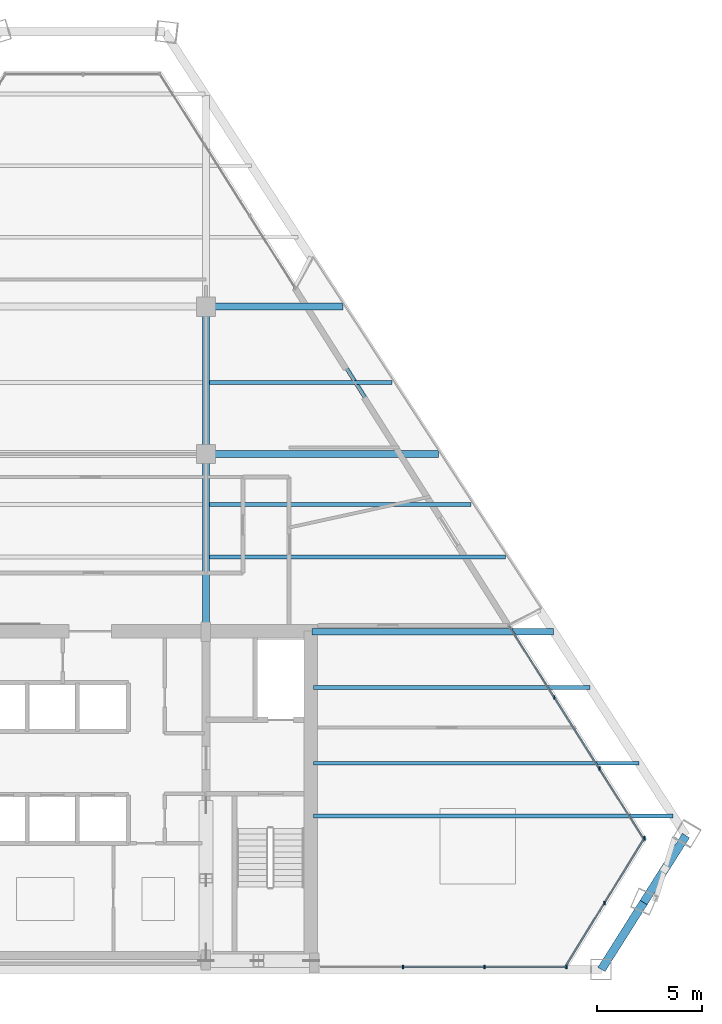
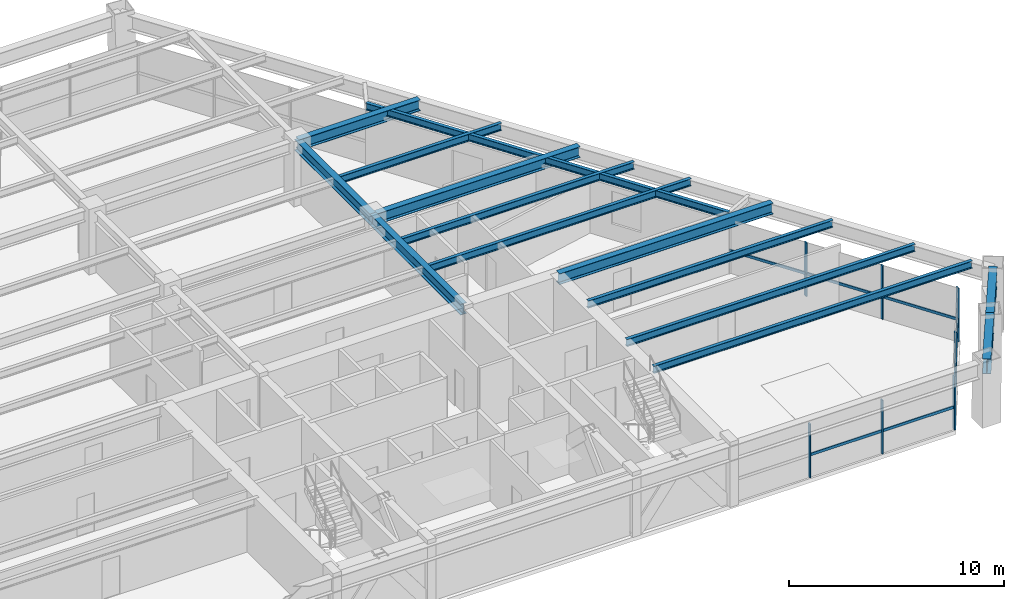
# One storey, part 6 of 15: 14 beams, 14 members, 3 elements without a shape of their own.
"""IFC4 building model written with IfcOpenShell, lengths in metres."""

import ifcopenshell
import ifcopenshell.guid

model = None  # the IFC model being written
_history = None  # IfcOwnerHistory: only IFC2X3 demands one
_inside = {}  # id of a spatial element -> (the spatial element, [elements in it])
_under = {}  # id of a project, library or spatial element -> (it, [spatial elements below it])
_declared = {}  # id of a project -> (the project, [libraries it declares])
_typed = {}  # id of a type object -> (the type object, [elements of that type])
_made_of = {}  # id of a material, layer set ... -> (it, [elements and type objects made of it])


def new_model(schema):
    """Start an empty IFC model of exactly this schema.

    Asked for "IFC4X3", IfcOpenShell would pick the latest addendum, in which some entities
    have other attributes; the version numbers below select the first issue.
    IFC2X3 requires an IfcOwnerHistory on every rooted entity: one is made here for all.
    """
    global model, _history
    if schema == "IFC4X3":
        model = ifcopenshell.file(schema_version=(4, 3, 0, 0))
    else:
        model = ifcopenshell.file(schema=schema)
    _inside.clear()
    _under.clear()
    _declared.clear()
    _typed.clear()
    _made_of.clear()
    _history = None
    if model.schema == "IFC2X3":
        org = make("IfcOrganization", Name="unknown")
        user = make(
            "IfcPersonAndOrganization",
            ThePerson=make("IfcPerson", FamilyName="unknown"),
            TheOrganization=org,
        )
        app = make(
            "IfcApplication",
            ApplicationDeveloper=org,
            Version="unknown",
            ApplicationFullName="unknown",
            ApplicationIdentifier="unknown",
        )
        _history = make(
            "IfcOwnerHistory",
            OwningUser=user,
            OwningApplication=app,
            ChangeAction="ADDED",
            CreationDate=0,
        )
    return model


def make(cls, **values):
    """One entity of the class cls with the attributes given. An attribute that is None is left unset."""
    return model.create_entity(
        cls, **{name: value for name, value in values.items() if value is not None}
    )


def rooted(cls, **values):
    """An entity with a GlobalId (a new one), such as an element, a storey or a relation."""
    return make(cls, GlobalId=ifcopenshell.guid.new(), OwnerHistory=_history, **values)


def si_unit(unit_type, name, prefix=None):
    """IfcSIUnit, for example si_unit("LENGTHUNIT", "METRE", prefix="MILLI")."""
    return make("IfcSIUnit", UnitType=unit_type, Prefix=prefix, Name=name)


def assignment(units):
    """IfcUnitAssignment: the units of a project."""
    return None if units is None else make("IfcUnitAssignment", Units=units)


def point(xyz):
    """IfcCartesianPoint."""
    return None if xyz is None else make("IfcCartesianPoint", Coordinates=xyz)


def direction(xyz):
    """IfcDirection."""
    return None if xyz is None else make("IfcDirection", DirectionRatios=xyz)


def frame(location, z_axis=None, x_axis=None):
    """IfcAxis2Placement3D, a coordinate frame: its origin and axes. An axis left out is left unset."""
    return make(
        "IfcAxis2Placement3D",
        Location=point(location),
        Axis=direction(z_axis),
        RefDirection=direction(x_axis),
    )


def frame_2d(location, x_axis=None):
    """IfcAxis2Placement2D, a coordinate frame in the plane: its origin and x axis."""
    return make(
        "IfcAxis2Placement2D", Location=point(location), RefDirection=direction(x_axis)
    )


def origin():
    """The frame at (0, 0, 0) with its axes left unset."""
    return frame((0.0, 0.0, 0.0))


def origin_2d():
    """The frame at (0, 0) in the plane with its x axis left unset."""
    return frame_2d((0.0, 0.0))


def place(relative_to, where):
    """IfcLocalPlacement: puts the frame where relative to a parent placement (None: the world)."""
    return make(
        "IfcLocalPlacement", PlacementRelTo=relative_to, RelativePlacement=where
    )


def context(
    kind, dimensions, precision=None, world=None, true_north=None, identifier=None
):
    """IfcGeometricRepresentationContext, for example the 3D "Model" context."""
    return make(
        "IfcGeometricRepresentationContext",
        ContextIdentifier=identifier,
        ContextType=kind,
        CoordinateSpaceDimension=dimensions,
        Precision=precision,
        WorldCoordinateSystem=world,
        TrueNorth=true_north,
    )


def subcontext(parent, identifier, kind, view, scale=None):
    """IfcGeometricRepresentationSubContext, for example "Body" below "Model"."""
    return make(
        "IfcGeometricRepresentationSubContext",
        ContextIdentifier=identifier,
        ContextType=kind,
        ParentContext=parent,
        TargetScale=scale,
        TargetView=view,
    )


def project(units=None, contexts=None):
    """IfcProject with its units and contexts."""
    return rooted(
        "IfcProject",
        Name="project",
        RepresentationContexts=contexts,
        UnitsInContext=assignment(units),
    )


def spatial(cls, under=None, at=None, **own):
    """A site, building, storey or space (cls), placed at a placement, below another one or the project."""
    s = rooted(cls, ObjectPlacement=at, **own)
    if under is not None:
        _under.setdefault(under.id(), (under, []))[1].append(s)
    return s


def profile(cls, at=None, kind="AREA", **sizes):
    """A parametric profile (cls). Its sizes go by their IFC names, for example OverallWidth=200.0."""
    return make(cls, ProfileType=kind, Position=at, **sizes)


def rectangle(**sizes):
    """IfcRectangleProfileDef."""
    return profile("IfcRectangleProfileDef", **sizes)


def i_section(**sizes):
    """IfcIShapeProfileDef."""
    return profile("IfcIShapeProfileDef", **sizes)


def extrude(swept, where, along, depth):
    """IfcExtrudedAreaSolid: the profile swept, set in the frame where, extruded along a direction by depth."""
    return make(
        "IfcExtrudedAreaSolid",
        SweptArea=swept,
        Position=where,
        ExtrudedDirection=direction(along),
        Depth=depth,
    )


def shape(context_of_items, identifier, shape_type, items):
    """IfcShapeRepresentation: the items that make up one representation, for example the "Body"."""
    return make(
        "IfcShapeRepresentation",
        ContextOfItems=context_of_items,
        RepresentationIdentifier=identifier,
        RepresentationType=shape_type,
        Items=items,
    )


def source(mapping_origin, context_of_items, identifier, shape_type, items):
    """IfcRepresentationMap: a shape defined once, which mapped items show again and again."""
    return make(
        "IfcRepresentationMap",
        MappingOrigin=mapping_origin,
        MappedRepresentation=shape(context_of_items, identifier, shape_type, items),
    )


def transform(
    local_origin,
    x_axis=None,
    y_axis=None,
    z_axis=None,
    scale=None,
    scale2=None,
    scale3=None,
    uniform=True,
):
    """IfcCartesianTransformationOperator3D, or its non-uniform kind. x_axis, y_axis, z_axis: its Axis1, 2, 3."""
    if uniform:
        return make(
            "IfcCartesianTransformationOperator3D",
            Axis1=direction(x_axis),
            Axis2=direction(y_axis),
            LocalOrigin=point(local_origin),
            Scale=scale,
            Axis3=direction(z_axis),
        )
    return make(
        "IfcCartesianTransformationOperator3DnonUniform",
        Axis1=direction(x_axis),
        Axis2=direction(y_axis),
        LocalOrigin=point(local_origin),
        Scale=scale,
        Axis3=direction(z_axis),
        Scale2=scale2,
        Scale3=scale3,
    )


def mapped(mapping_source, mapping_target):
    """IfcMappedItem: shows the shape of a source again, moved by a transform."""
    return make(
        "IfcMappedItem", MappingSource=mapping_source, MappingTarget=mapping_target
    )


def material(Name=None, Category=None):
    """IfcMaterial."""
    return make("IfcMaterial", Name=Name, Category=Category)


def material_profile(
    of_material, cross_section, Name=None, Category=None, Priority=None
):
    """IfcMaterialProfile: a cross section and its material."""
    return make(
        "IfcMaterialProfile",
        Name=Name,
        Material=of_material,
        Profile=cross_section,
        Priority=Priority,
        Category=Category,
    )


def profile_set(profiles, Name=None, composite=None):
    """IfcMaterialProfileSet."""
    return make(
        "IfcMaterialProfileSet",
        Name=Name,
        MaterialProfiles=profiles,
        CompositeProfile=composite,
    )


def made_of(thing, what):
    """Note that an element or type object is made of a material, layer set ...; save() writes the relation."""
    if what is not None:
        _made_of.setdefault(what.id(), (what, []))[1].append(thing)
    return thing


def type_object(cls, material=None, **own):
    """A type object (cls), such as IfcWallType, which elements share."""
    return made_of(rooted(cls, **own), material)


def type_shapes(of_type, sources):
    """Give a type object the sources (RepresentationMaps) that its elements show as mapped items."""
    of_type.RepresentationMaps = sources


def element(
    cls,
    number,
    at=None,
    inside=None,
    cuts=None,
    type_object=None,
    material=None,
    context=None,
    identifier="Body",
    shape_type=None,
    held_by="IfcProductDefinitionShape",
    body=None,
    shapes=None,
    **own,
):
    """One element of the class cls, such as IfcWall. Its Tag is "e" and its number.

    at: its placement. inside: the storey or other place that contains it. cuts: it is an
    opening in that element (IfcRelVoidsElement). A single representation is given by context,
    identifier, shape_type and body (its items); several are given by shapes. held_by: the class
    of the entity that holds the representations. save() writes the other relations.
    """
    e = rooted(cls, Tag="e%d" % number, ObjectPlacement=at, **own)
    if body is not None:
        shapes = [shape(context, identifier, shape_type, body)]
    if shapes is not None:
        e.Representation = make(held_by, Representations=shapes)
    if inside is not None:
        _inside.setdefault(inside.id(), (inside, []))[1].append(e)
    if cuts is not None:
        rooted(
            "IfcRelVoidsElement", RelatingBuildingElement=cuts, RelatedOpeningElement=e
        )
    if type_object is not None:
        _typed.setdefault(type_object.id(), (type_object, []))[1].append(e)
    return made_of(e, material)


def aggregate(whole, parts):
    """IfcRelAggregates: a whole, such as a stair, and the parts it consists of."""
    return rooted("IfcRelAggregates", RelatingObject=whole, RelatedObjects=parts)


def save(model, path):
    """Write the relations noted so far, then the file.

    IfcRelAggregates (storeys below a building ...), IfcRelContainedInSpatialStructure (elements
    in a storey), IfcRelDefinesByType, IfcRelAssociatesMaterial and IfcRelDeclares: one each for
    every whole, place, type object, material and project.
    """
    for whole, parts in _under.values():
        aggregate(whole, parts)
    for where, things in _inside.values():
        rooted(
            "IfcRelContainedInSpatialStructure",
            RelatedElements=things,
            RelatingStructure=where,
        )
    for kind, things in _typed.values():
        rooted("IfcRelDefinesByType", RelatedObjects=things, RelatingType=kind)
    for what, things in _made_of.values():
        rooted("IfcRelAssociatesMaterial", RelatedObjects=things, RelatingMaterial=what)
    for by, libraries in _declared.values():
        rooted("IfcRelDeclares", RelatingContext=by, RelatedDefinitions=libraries)
    model.write(path)


model = new_model("IFC4")

# Units and contexts
model_context = context("Model", 3, precision=1e-05, world=origin(), true_north=direction((0.0, 1.0)))
body_context = subcontext(model_context, "Body", "Model", "MODEL_VIEW")
ifc_project = project(units=[si_unit("LENGTHUNIT", "METRE"), si_unit("AREAUNIT", "SQUARE_METRE"), si_unit("VOLUMEUNIT", "CUBIC_METRE"), si_unit("PLANEANGLEUNIT", "RADIAN"), si_unit("MASSUNIT", "GRAM", prefix="KILO")], contexts=[model_context])

# Site, building, storey
site_placement = place(None, origin())
site = spatial("IfcSite", under=ifc_project, at=site_placement, CompositionType="ELEMENT")
building_placement = place(site_placement, origin())
building = spatial("IfcBuilding", under=site, at=building_placement, Name="Varnakhor Terracotta Tower", CompositionType="ELEMENT")
storey_placement = place(building_placement, frame((0.0, 0.0, 193.199951171875)))
storey = spatial("IfcBuildingStorey", under=building, at=storey_placement, Name="L49", CompositionType="ELEMENT", Elevation=193.199951171875)

# Beams
ifc_material_1 = material(Name="Steel S355", Category="steel")
ifc_material_profile_1 = material_profile(ifc_material_1, i_section(OverallWidth=0.324951171875, OverallDepth=0.615966796875, WebThickness=0.013916015625, FlangeThickness=0.02197265625, FilletRadius=0.01806640625, at=origin_2d()), Name="W24X117")
ifc_profile_set_1 = profile_set([ifc_material_profile_1], Name="Steel S355")
beam_type_1 = type_object("IfcBeamType", Name="BM-W24X117", PredefinedType="BEAM", material=ifc_profile_set_1)
shared_shape_1 = source(origin(), body_context, "Body", "SweptSolid", [
    extrude(i_section(OverallWidth=0.324951171875, OverallDepth=0.615966796875, WebThickness=0.013916015625, FlangeThickness=0.02197265625, FilletRadius=0.01806640625, at=origin_2d()), origin(), (0.0, 0.0, 1.0), 8.449951171875),
])
type_shapes(beam_type_1, [shared_shape_1])
beam_1_placement = place(storey_placement, frame((5.5, 16.050048828125, 3.162109375), z_axis=(0.0, 1.0, 0.0), x_axis=(-1.0, 0.0, 0.0)))
element("IfcBeam", 1, at=beam_1_placement, inside=storey, type_object=beam_type_1, Name="L49 Primary Girder NS1-E", PredefinedType="BEAM", context=body_context, shape_type="MappedRepresentation", body=[
    mapped(shared_shape_1, transform((0.0, 0.0, 0.0), scale=1.0)),
])
shared_shape_2 = source(origin(), body_context, "Body", "SweptSolid", [
    extrude(i_section(OverallWidth=0.324951171875, OverallDepth=0.615966796875, WebThickness=0.013916015625, FlangeThickness=0.02197265625, FilletRadius=0.01806640625, at=origin_2d()), origin(), (0.0, 0.0, 1.0), 7.0),
])
beam_2_placement = place(storey_placement, frame((5.5, 24.5, 3.162109375), z_axis=(0.0, 1.0, 0.0), x_axis=(-1.0, 0.0, 0.0)))
element("IfcBeam", 2, at=beam_2_placement, inside=storey, type_object=beam_type_1, Name="L49 Primary Girder NS2-E", PredefinedType="BEAM", context=body_context, shape_type="MappedRepresentation", body=[
    mapped(shared_shape_2, transform((0.0, 0.0, 0.0), scale=1.0)),
])
ifc_material_profile_2 = material_profile(ifc_material_1, i_section(OverallWidth=0.39990234375, OverallDepth=0.85498046875, WebThickness=0.01806640625, FlangeThickness=0.029052734375, FilletRadius=0.01806640625, at=origin_2d()), Name="W33X201")
ifc_profile_set_2 = profile_set([ifc_material_profile_2], Name="Steel S355")
beam_type_2 = type_object("IfcBeamType", Name="BM-W33X201", PredefinedType="BEAM", material=ifc_profile_set_2)
shared_shape_3 = source(origin(), body_context, "Body", "SweptSolid", [
    extrude(i_section(OverallWidth=0.39990234375, OverallDepth=0.85498046875, WebThickness=0.01806640625, FlangeThickness=0.029052734375, FilletRadius=0.01806640625, at=origin_2d()), origin(), (0.0, 0.0, 1.0), 3.761962890625),
])
for number, where, z_axis, x_axis, name in (
    (3, (24.2939453125, 0.0, 3.04248046875), (0.533663316006, 0.845697029171, 0.0), (-0.845697029171, 0.533663316006, 0.0), "L49 Perimeter Spandrel 2"),
    (4, (26.301513671875, 3.181396484375, 3.04248046875), (0.533634027304, 0.84571551062, 0.0), (-0.84571551062, 0.533634027304, 0.0), "L49 Perimeter Spandrel 3"),
):
    element("IfcBeam", number, at=place(storey_placement, frame(where, z_axis=z_axis, x_axis=x_axis)), inside=storey, type_object=beam_type_2, Name=name, PredefinedType="BEAM", context=body_context, shape_type="MappedRepresentation", body=[
        mapped(shared_shape_3, transform((0.0, 0.0, 0.0), scale=1.0)),
    ])
ifc_material_profile_3 = material_profile(ifc_material_1, i_section(OverallWidth=0.179931640625, OverallDepth=0.39990234375, WebThickness=0.008544921875, FlangeThickness=0.013427734375, FilletRadius=0.01806640625, at=origin_2d()), Name="IPE400")
ifc_profile_set_3 = profile_set([ifc_material_profile_3], Name="Steel S355")
beam_type_3 = type_object("IfcBeamType", Name="JST-IPE400", PredefinedType="JOIST", material=ifc_profile_set_3)
shared_shape_4 = source(origin(), body_context, "Body", "SweptSolid", [
    extrude(i_section(OverallWidth=0.179931640625, OverallDepth=0.39990234375, WebThickness=0.008544921875, FlangeThickness=0.013427734375, FilletRadius=0.01806640625, at=origin_2d()), origin(), (0.0, 0.0, 1.0), 19.041748046875),
])
beam_3_placement = place(storey_placement, frame((19.91162109375, 16.336181640625, 3.27001953125), z_axis=(-0.534252973029, 0.845324648174, 0.0), x_axis=(-0.845324648174, -0.534252973029, 0.0)))
element("IfcBeam", 5, at=beam_3_placement, inside=storey, type_object=beam_type_3, Name="L49 Loggia Edge Beam 1", PredefinedType="JOIST", context=body_context, shape_type="MappedRepresentation", body=[
    mapped(shared_shape_4, transform((0.0, 0.0, 0.0), scale=1.0)),
])
shared_shape_5 = source(origin(), body_context, "Body", "SweptSolid", [
    extrude(i_section(OverallWidth=0.324951171875, OverallDepth=0.615966796875, WebThickness=0.013916015625, FlangeThickness=0.02197265625, FilletRadius=0.01806640625, at=origin_2d()), origin(), (0.0, 0.0, 1.0), 11.47607421875),
])
beam_4_placement = place(storey_placement, frame((10.550048828125, 16.050048828125, 3.162109375), z_axis=(1.0, 0.0, 0.0), x_axis=(0.0, 1.0, 0.0)))
element("IfcBeam", 6, at=beam_4_placement, inside=storey, type_object=beam_type_1, Name="L49 Wing Girder E", PredefinedType="BEAM", context=body_context, shape_type="MappedRepresentation", body=[
    mapped(shared_shape_5, transform((0.0, 0.0, 0.0), scale=1.0)),
])
shared_shape_6 = source(origin(), body_context, "Body", "SweptSolid", [
    extrude(i_section(OverallWidth=0.324951171875, OverallDepth=0.615966796875, WebThickness=0.013916015625, FlangeThickness=0.02197265625, FilletRadius=0.01806640625, at=origin_2d()), origin(), (0.0, 0.0, 1.0), 11.04541015625),
])
beam_5_placement = place(storey_placement, frame((5.5, 24.5, 3.162109375), z_axis=(1.0, 0.0, 0.0), x_axis=(0.0, 1.0, 0.0)))
element("IfcBeam", 7, at=beam_5_placement, inside=storey, type_object=beam_type_1, Name="L49 Primary Girder EW2-3", PredefinedType="BEAM", context=body_context, shape_type="MappedRepresentation", body=[
    mapped(shared_shape_6, transform((0.0, 0.0, 0.0), scale=1.0)),
])
shared_shape_7 = source(origin(), body_context, "Body", "SweptSolid", [
    extrude(i_section(OverallWidth=0.324951171875, OverallDepth=0.615966796875, WebThickness=0.013916015625, FlangeThickness=0.02197265625, FilletRadius=0.01806640625, at=origin_2d()), origin(), (0.0, 0.0, 1.0), 6.50537109375),
])
beam_6_placement = place(storey_placement, frame((5.5, 31.5, 3.162109375), z_axis=(1.0, 0.0, 0.0), x_axis=(0.0, 1.0, 0.0)))
element("IfcBeam", 8, at=beam_6_placement, inside=storey, type_object=beam_type_1, Name="L49 Primary Girder EW3-3", PredefinedType="BEAM", context=body_context, shape_type="MappedRepresentation", body=[
    mapped(shared_shape_7, transform((0.0, 0.0, 0.0), scale=1.0)),
])
ifc_material_profile_4 = material_profile(ifc_material_1, i_section(OverallWidth=0.179931640625, OverallDepth=0.4130859375, WebThickness=0.009765625, FlangeThickness=0.01611328125, FilletRadius=0.01806640625, at=origin_2d()), Name="W16X50")
ifc_profile_set_4 = profile_set([ifc_material_profile_4], Name="Steel S355")
beam_type_4 = type_object("IfcBeamType", Name="JST-W16X50", PredefinedType="JOIST", material=ifc_profile_set_4)
shared_shape_8 = source(origin(), body_context, "Body", "SweptSolid", [
    extrude(i_section(OverallWidth=0.179931640625, OverallDepth=0.4130859375, WebThickness=0.009765625, FlangeThickness=0.01611328125, FilletRadius=0.01806640625, at=origin_2d()), origin(), (0.0, 0.0, 1.0), 17.101318359375),
])
beam_7_placement = place(storey_placement, frame((10.60009765625, 7.300048828125, 3.263427734375), z_axis=(1.0, 0.0, 0.0), x_axis=(0.0, 1.0, 0.0)))
element("IfcBeam", 9, at=beam_7_placement, inside=storey, type_object=beam_type_4, Name="L49 Floor Joist E1", PredefinedType="JOIST", context=body_context, shape_type="MappedRepresentation", body=[
    mapped(shared_shape_8, transform((0.0, 0.0, 0.0), scale=1.0)),
])
shared_shape_9 = source(origin(), body_context, "Body", "SweptSolid", [
    extrude(i_section(OverallWidth=0.179931640625, OverallDepth=0.4130859375, WebThickness=0.009765625, FlangeThickness=0.01611328125, FilletRadius=0.01806640625, at=origin_2d()), origin(), (0.0, 0.0, 1.0), 15.479736328125),
])
beam_8_placement = place(storey_placement, frame((10.60009765625, 9.800048828125, 3.263427734375), z_axis=(1.0, 0.0, 0.0), x_axis=(0.0, 1.0, 0.0)))
element("IfcBeam", 10, at=beam_8_placement, inside=storey, type_object=beam_type_4, Name="L49 Floor Joist E2", PredefinedType="JOIST", context=body_context, shape_type="MappedRepresentation", body=[
    mapped(shared_shape_9, transform((0.0, 0.0, 0.0), scale=1.0)),
])
shared_shape_10 = source(origin(), body_context, "Body", "SweptSolid", [
    extrude(i_section(OverallWidth=0.179931640625, OverallDepth=0.4130859375, WebThickness=0.009765625, FlangeThickness=0.01611328125, FilletRadius=0.01806640625, at=origin_2d()), origin(), (0.0, 0.0, 1.0), 13.144775390625),
])
beam_9_placement = place(storey_placement, frame((10.60009765625, 13.39990234375, 3.263427734375), z_axis=(1.0, 0.0, 0.0), x_axis=(0.0, 1.0, 0.0)))
element("IfcBeam", 11, at=beam_9_placement, inside=storey, type_object=beam_type_4, Name="L49 Floor Joist E3", PredefinedType="JOIST", context=body_context, shape_type="MappedRepresentation", body=[
    mapped(shared_shape_10, transform((0.0, 0.0, 0.0), scale=1.0)),
])
shared_shape_11 = source(origin(), body_context, "Body", "SweptSolid", [
    extrude(i_section(OverallWidth=0.179931640625, OverallDepth=0.4130859375, WebThickness=0.009765625, FlangeThickness=0.01611328125, FilletRadius=0.01806640625, at=origin_2d()), origin(), (0.0, 0.0, 1.0), 14.065185546875),
])
beam_10_placement = place(storey_placement, frame((5.658447265625, 19.60009765625, 3.263427734375), z_axis=(1.0, 0.0, 0.0), x_axis=(0.0, 1.0, 0.0)))
element("IfcBeam", 12, at=beam_10_placement, inside=storey, type_object=beam_type_4, Name="L49 Composite Floor Joist 4-3", PredefinedType="JOIST", context=body_context, shape_type="MappedRepresentation", body=[
    mapped(shared_shape_11, transform((0.0, 0.0, 0.0), scale=1.0)),
])
shared_shape_12 = source(origin(), body_context, "Body", "SweptSolid", [
    extrude(i_section(OverallWidth=0.179931640625, OverallDepth=0.4130859375, WebThickness=0.009765625, FlangeThickness=0.01611328125, FilletRadius=0.01806640625, at=origin_2d()), origin(), (0.0, 0.0, 1.0), 12.44384765625),
])
beam_11_placement = place(storey_placement, frame((5.658447265625, 22.10009765625, 3.263427734375), z_axis=(1.0, 0.0, 0.0), x_axis=(0.0, 1.0, 0.0)))
element("IfcBeam", 13, at=beam_11_placement, inside=storey, type_object=beam_type_4, Name="L49 Composite Floor Joist 5-3", PredefinedType="JOIST", context=body_context, shape_type="MappedRepresentation", body=[
    mapped(shared_shape_12, transform((0.0, 0.0, 0.0), scale=1.0)),
])
shared_shape_13 = source(origin(), body_context, "Body", "SweptSolid", [
    extrude(i_section(OverallWidth=0.179931640625, OverallDepth=0.4130859375, WebThickness=0.009765625, FlangeThickness=0.01611328125, FilletRadius=0.01806640625, at=origin_2d()), origin(), (0.0, 0.0, 1.0), 8.681884765625),
])
beam_12_placement = place(storey_placement, frame((5.658447265625, 27.89990234375, 3.263427734375), z_axis=(1.0, 0.0, 0.0), x_axis=(0.0, 1.0, 0.0)))
element("IfcBeam", 14, at=beam_12_placement, inside=storey, type_object=beam_type_4, Name="L49 Composite Floor Joist 6-3", PredefinedType="JOIST", context=body_context, shape_type="MappedRepresentation", body=[
    mapped(shared_shape_13, transform((0.0, 0.0, 0.0), scale=1.0)),
])

# Curtain wall, members
ifc_material_2 = material(Name="Anodised Aluminium Curtain Wall System", Category="aluminium")
curtain_wall_type = type_object("IfcCurtainWallType", Name="CW-SYS-MID-OFFICE", PredefinedType="NOTDEFINED", material=ifc_material_2)
curtain_wall_1_placement = place(storey_placement, origin())
curtain_wall_1 = element("IfcCurtainWall", 15, at=curtain_wall_1_placement, inside=storey, type_object=curtain_wall_type, Name="L49 E Facet Curtain Wall 2", PredefinedType="NOTDEFINED")
ifc_material_3 = material(Name="Anodised Aluminium 6063-T6", Category="aluminium")
ifc_material_profile_5 = material_profile(ifc_material_3, rectangle(XDim=0.070068359375, YDim=0.175048828125, at=origin_2d()), Name="ALU MULLION 70x175")
ifc_profile_set_5 = profile_set([ifc_material_profile_5], Name="Anodised Aluminium 6063-T6")
member_type_1 = type_object("IfcMemberType", Name="CWM-03", PredefinedType="MULLION", material=ifc_profile_set_5)
shared_shape_14 = source(origin(), body_context, "Body", "SweptSolid", [
    extrude(rectangle(XDim=0.070068359375, YDim=0.175048828125, at=origin_2d()), origin(), (0.0, 0.0, 1.0), 3.050048828125),
])
member_1_placement = place(storey_placement, frame((22.051025390625, 12.931396484375, 0.0), z_axis=(0.0, 0.0, 1.0), x_axis=(1.0, 0.0, 0.0)))
member_1 = element("IfcMember", 16, at=member_1_placement, type_object=member_type_1, Name="L49 E Facet Curtain Wall 2 Mullion 2", PredefinedType="MULLION", context=body_context, shape_type="MappedRepresentation", body=[
    mapped(shared_shape_14, transform((0.0, 0.0, 0.0), scale=1.0)),
])
member_2_placement = place(storey_placement, frame((24.193603515625, 9.544677734375, 0.0), z_axis=(0.0, 0.0, 1.0), x_axis=(1.0, 0.0, 0.0)))
member_2 = element("IfcMember", 17, at=member_2_placement, type_object=member_type_1, Name="L49 E Facet Curtain Wall 2 Mullion 3", PredefinedType="MULLION", context=body_context, shape_type="MappedRepresentation", body=[
    mapped(shared_shape_14, transform((0.0, 0.0, 0.0), scale=1.0)),
])

curtain_wall_2_placement = place(storey_placement, origin())
curtain_wall_2 = element("IfcCurtainWall", 18, at=curtain_wall_2_placement, inside=storey, type_object=curtain_wall_type, Name="L49 Facet Curtain Wall 4", PredefinedType="NOTDEFINED")
member_3_placement = place(storey_placement, frame((26.33544921875, 6.23388671875, 0.0), z_axis=(0.0, 0.0, 1.0), x_axis=(1.0, 0.0, 0.0)))
member_3 = element("IfcMember", 19, at=member_3_placement, type_object=member_type_1, Name="L49 Facet Curtain Wall 4 Mullion 1", PredefinedType="MULLION", context=body_context, shape_type="MappedRepresentation", body=[
    mapped(shared_shape_14, transform((0.0, 0.0, 0.0), scale=1.0)),
])
member_4_placement = place(storey_placement, frame((24.44287109375, 3.1611328125, 0.0), z_axis=(0.0, 0.0, 1.0), x_axis=(1.0, 0.0, 0.0)))
member_4 = element("IfcMember", 20, at=member_4_placement, type_object=member_type_1, Name="L49 Facet Curtain Wall 4 Mullion 2", PredefinedType="MULLION", context=body_context, shape_type="MappedRepresentation", body=[
    mapped(shared_shape_14, transform((0.0, 0.0, 0.0), scale=1.0)),
])

curtain_wall_3_placement = place(storey_placement, origin())
curtain_wall_3 = element("IfcCurtainWall", 21, at=curtain_wall_3_placement, inside=storey, type_object=curtain_wall_type, Name="L49 South Wing Curtain Wall SSE", PredefinedType="NOTDEFINED")
member_5_placement = place(storey_placement, frame((22.626708984375, 0.1201171875, 0.0), z_axis=(0.0, 0.0, 1.0), x_axis=(1.0, 0.0, 0.0)))
member_5 = element("IfcMember", 22, at=member_5_placement, type_object=member_type_1, Name="L49 South Wing Curtain Wall SSE Mullion 1", PredefinedType="MULLION", context=body_context, shape_type="MappedRepresentation", body=[
    mapped(shared_shape_14, transform((0.0, 0.0, 0.0), scale=1.0)),
])
member_6_placement = place(storey_placement, frame((18.7412109375, 0.1201171875, 0.0), z_axis=(0.0, 0.0, 1.0), x_axis=(1.0, 0.0, 0.0)))
member_6 = element("IfcMember", 23, at=member_6_placement, type_object=member_type_1, Name="L49 South Wing Curtain Wall SSE Mullion 2", PredefinedType="MULLION", context=body_context, shape_type="MappedRepresentation", body=[
    mapped(shared_shape_14, transform((0.0, 0.0, 0.0), scale=1.0)),
])
member_7_placement = place(storey_placement, frame((14.85546875, 0.1201171875, 0.0), z_axis=(0.0, 0.0, 1.0), x_axis=(1.0, 0.0, 0.0)))
member_7 = element("IfcMember", 24, at=member_7_placement, type_object=member_type_1, Name="L49 South Wing Curtain Wall SSE Mullion 3", PredefinedType="MULLION", context=body_context, shape_type="MappedRepresentation", body=[
    mapped(shared_shape_14, transform((0.0, 0.0, 0.0), scale=1.0)),
])

# Member
ifc_material_profile_6 = material_profile(ifc_material_3, rectangle(XDim=0.070068359375, YDim=0.155029296875, at=origin_2d()), Name="ALU TRANSOM 70x155")
ifc_profile_set_6 = profile_set([ifc_material_profile_6], Name="Anodised Aluminium 6063-T6")
member_type_2 = type_object("IfcMemberType", Name="CWT-03", PredefinedType="USERDEFINED", material=ifc_profile_set_6)
shared_shape_15 = source(origin(), body_context, "Body", "SweptSolid", [
    extrude(rectangle(XDim=0.070068359375, YDim=0.155029296875, at=origin_2d()), origin(), (0.0, 0.0, 1.0), 4.007568359375),
])
member_8_placement = place(storey_placement, frame((19.90869140625, 16.318359375, 1.281005859375), z_axis=(0.534563577538, -0.845128263383, 0.0), x_axis=(0.845128263383, 0.534563577538, 0.0)))
member_8 = element("IfcMember", 25, at=member_8_placement, type_object=member_type_2, Name="L49 E Facet Curtain Wall 2 Transom 1", ObjectType="TRANSOM", PredefinedType="USERDEFINED", context=body_context, shape_type="MappedRepresentation", body=[
    mapped(shared_shape_15, transform((0.0, 0.0, 0.0), scale=1.0)),
])

member_9_placement = place(storey_placement, frame((22.051025390625, 12.931396484375, 1.281005859375), z_axis=(0.534634609471, -0.845083329829, 0.0), x_axis=(0.845083329829, 0.534634609471, 0.0)))
member_9 = element("IfcMember", 26, at=member_9_placement, type_object=member_type_2, Name="L49 E Facet Curtain Wall 2 Transom 2", ObjectType="TRANSOM", PredefinedType="USERDEFINED", context=body_context, shape_type="MappedRepresentation", body=[
    mapped(shared_shape_15, transform((0.0, 0.0, 0.0), scale=1.0)),
])

member_10_placement = place(storey_placement, frame((24.193603515625, 9.544677734375, 1.281005859375), z_axis=(0.534520064571, -0.845155784794, 0.0), x_axis=(0.845155784794, 0.534520064571, 0.0)))
member_10 = element("IfcMember", 27, at=member_10_placement, type_object=member_type_2, Name="L49 E Facet Curtain Wall 2 Transom 3", ObjectType="TRANSOM", PredefinedType="USERDEFINED", context=body_context, shape_type="MappedRepresentation", body=[
    mapped(shared_shape_15, transform((0.0, 0.0, 0.0), scale=1.0)),
])

aggregate(curtain_wall_1, [member_8, member_1, member_9, member_2, member_10])

shared_shape_16 = source(origin(), body_context, "Body", "SweptSolid", [
    extrude(rectangle(XDim=0.070068359375, YDim=0.155029296875, at=origin_2d()), origin(), (0.0, 0.0, 1.0), 3.60888671875),
])
member_11_placement = place(storey_placement, frame((26.33544921875, 6.23388671875, 1.281005859375), z_axis=(-0.524429542865, -0.851453847587, 0.0), x_axis=(0.851453847587, -0.524429542865, 0.0)))
member_11 = element("IfcMember", 28, at=member_11_placement, type_object=member_type_2, Name="L49 Facet Curtain Wall 4 Transom 1", ObjectType="TRANSOM", PredefinedType="USERDEFINED", context=body_context, shape_type="MappedRepresentation", body=[
    mapped(shared_shape_16, transform((0.0, 0.0, 0.0), scale=1.0)),
])

member_12_placement = place(storey_placement, frame((24.44287109375, 3.1611328125, 1.281005859375), z_axis=(-0.524429542865, -0.851453847587, 0.0), x_axis=(0.851453847587, -0.524429542865, 0.0)))
member_12 = element("IfcMember", 29, at=member_12_placement, type_object=member_type_2, Name="L49 Facet Curtain Wall 4 Transom 2", ObjectType="TRANSOM", PredefinedType="USERDEFINED", context=body_context, shape_type="MappedRepresentation", body=[
    mapped(shared_shape_16, transform((0.0, 0.0, 0.0), scale=1.0)),
])

aggregate(curtain_wall_2, [member_3, member_11, member_4, member_12])

shared_shape_17 = source(origin(), body_context, "Body", "SweptSolid", [
    extrude(rectangle(XDim=0.070068359375, YDim=0.155029296875, at=origin_2d()), origin(), (0.0, 0.0, 1.0), 3.885498046875),
])
member_13_placement = place(storey_placement, frame((22.626708984375, 0.1201171875, 1.281005859375), z_axis=(-1.0, 0.0, 0.0), x_axis=(0.0, -1.0, 0.0)))
member_13 = element("IfcMember", 30, at=member_13_placement, type_object=member_type_2, Name="L49 South Wing Curtain Wall SSE Transom 1", ObjectType="TRANSOM", PredefinedType="USERDEFINED", context=body_context, shape_type="MappedRepresentation", body=[
    mapped(shared_shape_17, transform((0.0, 0.0, 0.0), scale=1.0)),
])

shared_shape_18 = source(origin(), body_context, "Body", "SweptSolid", [
    extrude(rectangle(XDim=0.070068359375, YDim=0.155029296875, at=origin_2d()), origin(), (0.0, 0.0, 1.0), 3.8857421875),
])
member_14_placement = place(storey_placement, frame((18.7412109375, 0.1201171875, 1.281005859375), z_axis=(-1.0, 0.0, 0.0), x_axis=(0.0, -1.0, 0.0)))
member_14 = element("IfcMember", 31, at=member_14_placement, type_object=member_type_2, Name="L49 South Wing Curtain Wall SSE Transom 2", ObjectType="TRANSOM", PredefinedType="USERDEFINED", context=body_context, shape_type="MappedRepresentation", body=[
    mapped(shared_shape_18, transform((0.0, 0.0, 0.0), scale=1.0)),
])

aggregate(curtain_wall_3, [member_5, member_13, member_6, member_14, member_7])

save(model, "model.ifc")
